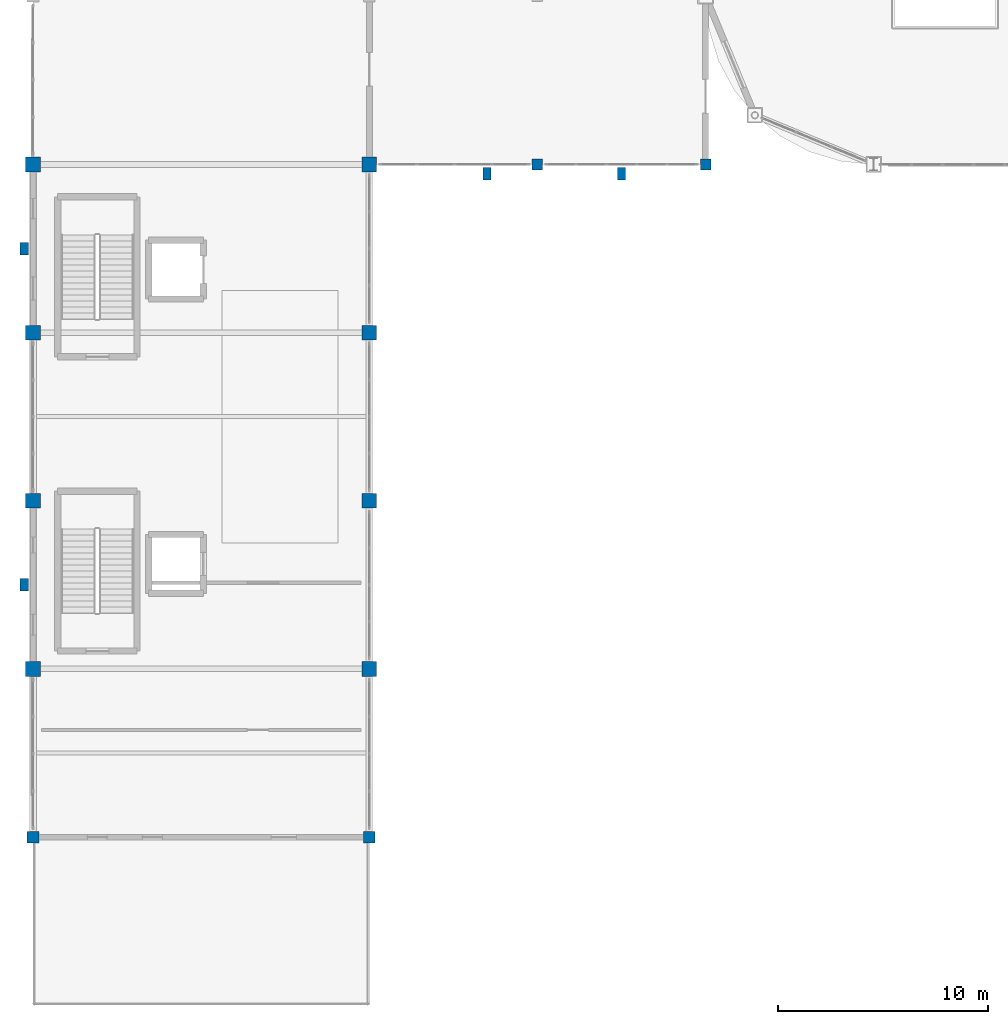
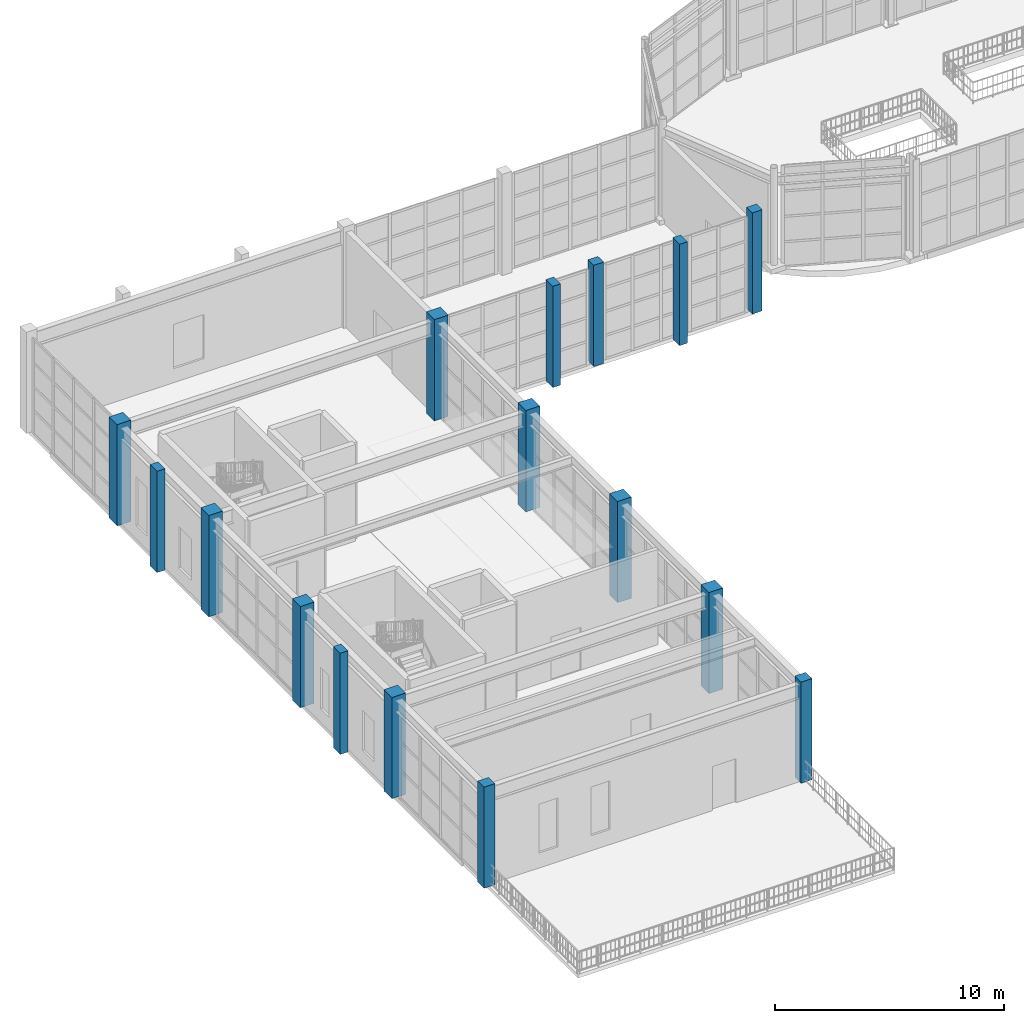
# One storey, part 1 of 82: 16 columns.
"""IFC4 building model written with IfcOpenShell, lengths in metres."""

import ifcopenshell
import ifcopenshell.guid

model = None  # the IFC model being written
_history = None  # IfcOwnerHistory: only IFC2X3 demands one
_inside = {}  # id of a spatial element -> (the spatial element, [elements in it])
_under = {}  # id of a project, library or spatial element -> (it, [spatial elements below it])
_declared = {}  # id of a project -> (the project, [libraries it declares])
_typed = {}  # id of a type object -> (the type object, [elements of that type])
_made_of = {}  # id of a material, layer set ... -> (it, [elements and type objects made of it])


def new_model(schema):
    """Start an empty IFC model of exactly this schema.

    Asked for "IFC4X3", IfcOpenShell would pick the latest addendum, in which some entities
    have other attributes; the version numbers below select the first issue.
    IFC2X3 requires an IfcOwnerHistory on every rooted entity: one is made here for all.
    """
    global model, _history
    if schema == "IFC4X3":
        model = ifcopenshell.file(schema_version=(4, 3, 0, 0))
    else:
        model = ifcopenshell.file(schema=schema)
    _inside.clear()
    _under.clear()
    _declared.clear()
    _typed.clear()
    _made_of.clear()
    _history = None
    if model.schema == "IFC2X3":
        org = make("IfcOrganization", Name="unknown")
        user = make(
            "IfcPersonAndOrganization",
            ThePerson=make("IfcPerson", FamilyName="unknown"),
            TheOrganization=org,
        )
        app = make(
            "IfcApplication",
            ApplicationDeveloper=org,
            Version="unknown",
            ApplicationFullName="unknown",
            ApplicationIdentifier="unknown",
        )
        _history = make(
            "IfcOwnerHistory",
            OwningUser=user,
            OwningApplication=app,
            ChangeAction="ADDED",
            CreationDate=0,
        )
    return model


def make(cls, **values):
    """One entity of the class cls with the attributes given. An attribute that is None is left unset."""
    return model.create_entity(
        cls, **{name: value for name, value in values.items() if value is not None}
    )


def rooted(cls, **values):
    """An entity with a GlobalId (a new one), such as an element, a storey or a relation."""
    return make(cls, GlobalId=ifcopenshell.guid.new(), OwnerHistory=_history, **values)


def si_unit(unit_type, name, prefix=None):
    """IfcSIUnit, for example si_unit("LENGTHUNIT", "METRE", prefix="MILLI")."""
    return make("IfcSIUnit", UnitType=unit_type, Prefix=prefix, Name=name)


def assignment(units):
    """IfcUnitAssignment: the units of a project."""
    return None if units is None else make("IfcUnitAssignment", Units=units)


def point(xyz):
    """IfcCartesianPoint."""
    return None if xyz is None else make("IfcCartesianPoint", Coordinates=xyz)


def direction(xyz):
    """IfcDirection."""
    return None if xyz is None else make("IfcDirection", DirectionRatios=xyz)


def frame(location, z_axis=None, x_axis=None):
    """IfcAxis2Placement3D, a coordinate frame: its origin and axes. An axis left out is left unset."""
    return make(
        "IfcAxis2Placement3D",
        Location=point(location),
        Axis=direction(z_axis),
        RefDirection=direction(x_axis),
    )


def frame_2d(location, x_axis=None):
    """IfcAxis2Placement2D, a coordinate frame in the plane: its origin and x axis."""
    return make(
        "IfcAxis2Placement2D", Location=point(location), RefDirection=direction(x_axis)
    )


def origin():
    """The frame at (0, 0, 0) with its axes left unset."""
    return frame((0.0, 0.0, 0.0))


def origin_2d():
    """The frame at (0, 0) in the plane with its x axis left unset."""
    return frame_2d((0.0, 0.0))


def place(relative_to, where):
    """IfcLocalPlacement: puts the frame where relative to a parent placement (None: the world)."""
    return make(
        "IfcLocalPlacement", PlacementRelTo=relative_to, RelativePlacement=where
    )


def context(
    kind, dimensions, precision=None, world=None, true_north=None, identifier=None
):
    """IfcGeometricRepresentationContext, for example the 3D "Model" context."""
    return make(
        "IfcGeometricRepresentationContext",
        ContextIdentifier=identifier,
        ContextType=kind,
        CoordinateSpaceDimension=dimensions,
        Precision=precision,
        WorldCoordinateSystem=world,
        TrueNorth=true_north,
    )


def subcontext(parent, identifier, kind, view, scale=None):
    """IfcGeometricRepresentationSubContext, for example "Body" below "Model"."""
    return make(
        "IfcGeometricRepresentationSubContext",
        ContextIdentifier=identifier,
        ContextType=kind,
        ParentContext=parent,
        TargetScale=scale,
        TargetView=view,
    )


def project(units=None, contexts=None):
    """IfcProject with its units and contexts."""
    return rooted(
        "IfcProject",
        Name="project",
        RepresentationContexts=contexts,
        UnitsInContext=assignment(units),
    )


def spatial(cls, under=None, at=None, **own):
    """A site, building, storey or space (cls), placed at a placement, below another one or the project."""
    s = rooted(cls, ObjectPlacement=at, **own)
    if under is not None:
        _under.setdefault(under.id(), (under, []))[1].append(s)
    return s


def profile(cls, at=None, kind="AREA", **sizes):
    """A parametric profile (cls). Its sizes go by their IFC names, for example OverallWidth=200.0."""
    return make(cls, ProfileType=kind, Position=at, **sizes)


def rectangle(**sizes):
    """IfcRectangleProfileDef."""
    return profile("IfcRectangleProfileDef", **sizes)


def extrude(swept, where, along, depth):
    """IfcExtrudedAreaSolid: the profile swept, set in the frame where, extruded along a direction by depth."""
    return make(
        "IfcExtrudedAreaSolid",
        SweptArea=swept,
        Position=where,
        ExtrudedDirection=direction(along),
        Depth=depth,
    )


def shape(context_of_items, identifier, shape_type, items):
    """IfcShapeRepresentation: the items that make up one representation, for example the "Body"."""
    return make(
        "IfcShapeRepresentation",
        ContextOfItems=context_of_items,
        RepresentationIdentifier=identifier,
        RepresentationType=shape_type,
        Items=items,
    )


def material(Name=None, Category=None):
    """IfcMaterial."""
    return make("IfcMaterial", Name=Name, Category=Category)


def material_profile(
    of_material, cross_section, Name=None, Category=None, Priority=None
):
    """IfcMaterialProfile: a cross section and its material."""
    return make(
        "IfcMaterialProfile",
        Name=Name,
        Material=of_material,
        Profile=cross_section,
        Priority=Priority,
        Category=Category,
    )


def profile_set(profiles, Name=None, composite=None):
    """IfcMaterialProfileSet."""
    return make(
        "IfcMaterialProfileSet",
        Name=Name,
        MaterialProfiles=profiles,
        CompositeProfile=composite,
    )


def made_of(thing, what):
    """Note that an element or type object is made of a material, layer set ...; save() writes the relation."""
    if what is not None:
        _made_of.setdefault(what.id(), (what, []))[1].append(thing)
    return thing


def type_object(cls, material=None, **own):
    """A type object (cls), such as IfcWallType, which elements share."""
    return made_of(rooted(cls, **own), material)


def element(
    cls,
    number,
    at=None,
    inside=None,
    cuts=None,
    type_object=None,
    material=None,
    context=None,
    identifier="Body",
    shape_type=None,
    held_by="IfcProductDefinitionShape",
    body=None,
    shapes=None,
    **own,
):
    """One element of the class cls, such as IfcWall. Its Tag is "e" and its number.

    at: its placement. inside: the storey or other place that contains it. cuts: it is an
    opening in that element (IfcRelVoidsElement). A single representation is given by context,
    identifier, shape_type and body (its items); several are given by shapes. held_by: the class
    of the entity that holds the representations. save() writes the other relations.
    """
    e = rooted(cls, Tag="e%d" % number, ObjectPlacement=at, **own)
    if body is not None:
        shapes = [shape(context, identifier, shape_type, body)]
    if shapes is not None:
        e.Representation = make(held_by, Representations=shapes)
    if inside is not None:
        _inside.setdefault(inside.id(), (inside, []))[1].append(e)
    if cuts is not None:
        rooted(
            "IfcRelVoidsElement", RelatingBuildingElement=cuts, RelatedOpeningElement=e
        )
    if type_object is not None:
        _typed.setdefault(type_object.id(), (type_object, []))[1].append(e)
    return made_of(e, material)


def aggregate(whole, parts):
    """IfcRelAggregates: a whole, such as a stair, and the parts it consists of."""
    return rooted("IfcRelAggregates", RelatingObject=whole, RelatedObjects=parts)


def save(model, path):
    """Write the relations noted so far, then the file.

    IfcRelAggregates (storeys below a building ...), IfcRelContainedInSpatialStructure (elements
    in a storey), IfcRelDefinesByType, IfcRelAssociatesMaterial and IfcRelDeclares: one each for
    every whole, place, type object, material and project.
    """
    for whole, parts in _under.values():
        aggregate(whole, parts)
    for where, things in _inside.values():
        rooted(
            "IfcRelContainedInSpatialStructure",
            RelatedElements=things,
            RelatingStructure=where,
        )
    for kind, things in _typed.values():
        rooted("IfcRelDefinesByType", RelatedObjects=things, RelatingType=kind)
    for what, things in _made_of.values():
        rooted("IfcRelAssociatesMaterial", RelatedObjects=things, RelatingMaterial=what)
    for by, libraries in _declared.values():
        rooted("IfcRelDeclares", RelatingContext=by, RelatedDefinitions=libraries)
    model.write(path)


model = new_model("IFC4")

# Units and contexts
model_context = context("Model", 3, precision=1e-05, world=origin(), true_north=direction((0.0, 1.0)))
body_context = subcontext(model_context, "Body", "Model", "MODEL_VIEW")
ifc_project = project(units=[si_unit("LENGTHUNIT", "METRE"), si_unit("AREAUNIT", "SQUARE_METRE"), si_unit("VOLUMEUNIT", "CUBIC_METRE"), si_unit("PLANEANGLEUNIT", "RADIAN"), si_unit("MASSUNIT", "GRAM", prefix="KILO")], contexts=[model_context])

# Site, building, storey
site_placement = place(None, origin())
site = spatial("IfcSite", under=ifc_project, at=site_placement, CompositionType="ELEMENT")
building_placement = place(site_placement, origin())
building = spatial("IfcBuilding", under=site, at=building_placement, Name="Serraluz Foothill Cableway Terminal", CompositionType="ELEMENT")
storey_placement = place(building_placement, frame((0.0, 0.0, 9.60009765625)))
storey = spatial("IfcBuildingStorey", under=building, at=storey_placement, Name="L02", CompositionType="ELEMENT", Elevation=9.60009765625)

# Columns
ifc_material_1 = material(Name="Concrete C35/45 (f'c 35 MPa)", Category="concrete")
ifc_material_profile_1 = material_profile(ifc_material_1, rectangle(XDim=0.5, YDim=0.5, at=origin_2d()), Name="RC 500x500")
ifc_profile_set_1 = profile_set([ifc_material_profile_1], Name="Concrete C35/45 (f'c 35 MPa)")
column_type_1 = type_object("IfcColumnType", Name="TYP-COL-RC500", PredefinedType="COLUMN", material=ifc_profile_set_1)
for number, where, z_axis, x_axis, name in (
    (1, (24.0, 56.0, 0.0), (0.0, 0.0, 1.0), (1.0, 0.0, 0.0), "Column COL-V5-LK-24-56-L02"),
    (2, (32.0, 56.0, 0.0), (0.0, 0.0, 1.0), (1.0, 0.0, 0.0), "Column COL-V5-LK-32-56-L02"),
):
    element("IfcColumn", number, at=place(storey_placement, frame(where, z_axis=z_axis, x_axis=x_axis)), inside=storey, type_object=column_type_1, Name=name, PredefinedType="COLUMN", context=body_context, shape_type="SweptSolid", body=[
        extrude(rectangle(XDim=0.5, YDim=0.5, at=origin_2d()), origin(), (0.0, 0.0, 1.0), 5.39990234375),
    ])
ifc_material_profile_2 = material_profile(ifc_material_1, rectangle(XDim=0.550048828125, YDim=0.550048828125, at=origin_2d()), Name="RC 550x550")
ifc_profile_set_2 = profile_set([ifc_material_profile_2], Name="Concrete C35/45 (f'c 35 MPa)")
column_type_2 = type_object("IfcColumnType", Name="TYP-COL-RC550", PredefinedType="COLUMN", material=ifc_profile_set_2)
for number, where, z_axis, x_axis, name in (
    (3, (0.0, 24.0, 0.0), (0.0, 0.0, 1.0), (1.0, 0.0, 0.0), "Column COL-V5-0-24-L02"),
    (4, (16.0, 24.0, 0.0), (0.0, 0.0, 1.0), (1.0, 0.0, 0.0), "Column COL-V5-16-24-L02"),
):
    element("IfcColumn", number, at=place(storey_placement, frame(where, z_axis=z_axis, x_axis=x_axis)), inside=storey, type_object=column_type_2, Name=name, PredefinedType="COLUMN", context=body_context, shape_type="SweptSolid", body=[
        extrude(rectangle(XDim=0.550048828125, YDim=0.550048828125, at=origin_2d()), origin(), (0.0, 0.0, 1.0), 5.39990234375),
    ])
ifc_material_profile_3 = material_profile(ifc_material_1, rectangle(XDim=0.699951171875, YDim=0.699951171875, at=origin_2d()), Name="RC 700x700")
ifc_profile_set_3 = profile_set([ifc_material_profile_3], Name="Concrete C35/45 (f'c 35 MPa)")
column_type_3 = type_object("IfcColumnType", Name="TYP-COL-RC700", PredefinedType="COLUMN", material=ifc_profile_set_3)
for number, where, z_axis, x_axis, name in (
    (5, (0.0, 32.0, 0.0), (0.0, 0.0, 1.0), (1.0, 0.0, 0.0), "Column COL-V5-0-32-L02"),
    (6, (16.0, 32.0, 0.0), (0.0, 0.0, 1.0), (1.0, 0.0, 0.0), "Column COL-V5-16-32-L02"),
    (7, (0.0, 40.0, 0.0), (0.0, 0.0, 1.0), (1.0, 0.0, 0.0), "Column COL-V5-0-40-L02"),
    (8, (16.0, 40.0, 0.0), (0.0, 0.0, 1.0), (1.0, 0.0, 0.0), "Column COL-V5-16-40-L02"),
    (9, (0.0, 48.0, 0.0), (0.0, 0.0, 1.0), (1.0, 0.0, 0.0), "Column COL-V5-0-48-L02"),
    (10, (16.0, 48.0, 0.0), (0.0, 0.0, 1.0), (1.0, 0.0, 0.0), "Column COL-V5-16-48-L02"),
    (11, (0.0, 56.0, 0.0), (0.0, 0.0, 1.0), (1.0, 0.0, 0.0), "Column COL-V5-0-56-L02"),
    (12, (16.0, 56.0, 0.0), (0.0, 0.0, 1.0), (1.0, 0.0, 0.0), "Column COL-V5-16-56-L02"),
):
    element("IfcColumn", number, at=place(storey_placement, frame(where, z_axis=z_axis, x_axis=x_axis)), inside=storey, type_object=column_type_3, Name=name, PredefinedType="COLUMN", context=body_context, shape_type="SweptSolid", body=[
        extrude(rectangle(XDim=0.699951171875, YDim=0.699951171875, at=origin_2d()), origin(), (0.0, 0.0, 1.0), 5.39990234375),
    ])
ifc_material_2 = material(Name="Fired clay masonry brick (f'm 12 MPa)", Category="masonry")
ifc_material_profile_4 = material_profile(ifc_material_2, rectangle(XDim=0.39990234375, YDim=0.60009765625, at=origin_2d()), Name="PIL 400x600")
ifc_profile_set_4 = profile_set([ifc_material_profile_4], Name="Fired clay masonry brick (f'm 12 MPa)")
column_type_4 = type_object("IfcColumnType", Name="TYP-PIL-400X600", PredefinedType="PILASTER", material=ifc_profile_set_4)
for number, where, z_axis, x_axis, name in (
    (13, (21.60009765625, 55.56005859375, 0.0), (0.0, 0.0, 1.0), (1.0, 0.0, 0.0), "Brick Pilaster Pier PL-31 L02"),
    (14, (28.0, 55.56005859375, 0.0), (0.0, 0.0, 1.0), (1.0, 0.0, 0.0), "Brick Pilaster Pier PL-32 L02"),
    (15, (-0.419921875, 36.0, 0.0), (0.0, 0.0, 1.0), (1.0, 0.0, 0.0), "Brick Pilaster Pier PL-40 L02"),
    (16, (-0.419921875, 52.0, 0.0), (0.0, 0.0, 1.0), (1.0, 0.0, 0.0), "Brick Pilaster Pier PL-41 L02"),
):
    element("IfcColumn", number, at=place(storey_placement, frame(where, z_axis=z_axis, x_axis=x_axis)), inside=storey, type_object=column_type_4, Name=name, PredefinedType="PILASTER", context=body_context, shape_type="SweptSolid", body=[
        extrude(rectangle(XDim=0.39990234375, YDim=0.60009765625, at=origin_2d()), origin(), (0.0, 0.0, 1.0), 5.39990234375),
    ])

save(model, "model.ifc")
